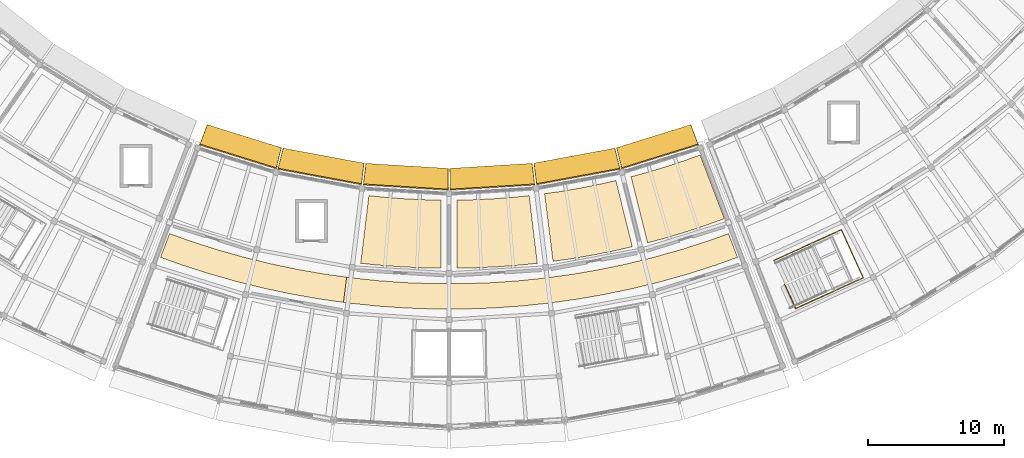
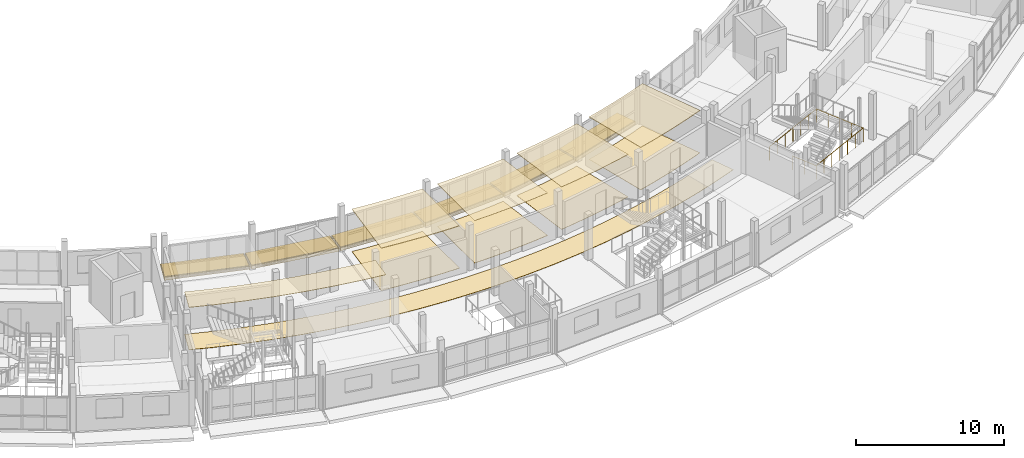
# One storey, part 72 of 77: 16 coverings, 6 shading devices, 1 railing.
"""IFC4 building model written with IfcOpenShell, lengths in metres."""

from ifc_helpers import new_model, si_unit, direction, frame, origin, origin_2d, place, context, subcontext, project, spatial, polyline, circle, outline, extrude, material, layer, layer_set, type_object, element, save


model = new_model("IFC4")

# Units and contexts
model_context = context("Model", 3, precision=1e-05, world=origin(), true_north=direction((0.0, 1.0)))
body_context = subcontext(model_context, "Body", "Model", "MODEL_VIEW")
ifc_project = project(units=[si_unit("LENGTHUNIT", "METRE"), si_unit("AREAUNIT", "SQUARE_METRE"), si_unit("VOLUMEUNIT", "CUBIC_METRE"), si_unit("PLANEANGLEUNIT", "RADIAN"), si_unit("MASSUNIT", "GRAM", prefix="KILO")], contexts=[model_context])

# Site, building, storey
site_placement = place(None, origin())
site = spatial("IfcSite", under=ifc_project, at=site_placement, CompositionType="ELEMENT")
building_placement = place(site_placement, origin())
building = spatial("IfcBuilding", under=site, at=building_placement, Name="Caldaven Crescent School", CompositionType="ELEMENT")
storey_placement = place(building_placement, frame((0.0, 0.0, 4.419921875)))
storey = spatial("IfcBuildingStorey", under=building, at=storey_placement, Name="L01", CompositionType="ELEMENT", Elevation=4.419921875)

# Coverings
ifc_material_1 = material(Name="White architectural GFRC precast concrete C35/45 cladding", Category="concrete")
ifc_layer_1 = layer(ifc_material_1, 0.260009765625)
ifc_layer_set_1 = layer_set([ifc_layer_1], Name="White architectural GFRC precast concrete C35/45 cladding")
covering_type_1 = type_object("IfcCoveringType", Name="COV-CLD1", PredefinedType="CLADDING", material=ifc_layer_set_1)
covering_1_placement = place(storey_placement, frame((0.0, 0.0, -0.260009765625)))
element("IfcCovering", 1, at=covering_1_placement, inside=storey, type_object=covering_type_1, Name="CLD-IN-L01-011", PredefinedType="CLADDING", context=body_context, shape_type="SweptSolid", body=[
    extrude(outline(polyline([(70.241943359375, 48.618408203125), (75.707275390625, 46.915771484375), (75.318603515625, 45.36376953125), (69.680419921875, 47.120361328125), (70.241943359375, 48.618408203125)])), origin(), (0.0, 0.0, 1.0), 0.260009765625),
])
covering_2_placement = place(storey_placement, frame((0.0, 0.0, -0.260009765625)))
element("IfcCovering", 2, at=covering_2_placement, inside=storey, type_object=covering_type_1, Name="CLD-IN-L01-013", PredefinedType="CLADDING", context=body_context, shape_type="SweptSolid", body=[
    extrude(outline(polyline([(75.81005859375, 46.89013671875), (81.78076171875, 45.78369140625), (81.584228515625, 44.19580078125), (75.4248046875, 45.33740234375), (75.81005859375, 46.89013671875)])), origin(), (0.0, 0.0, 1.0), 0.260009765625),
])
covering_3_placement = place(storey_placement, frame((0.0, 0.0, -0.260009765625)))
element("IfcCovering", 3, at=covering_3_placement, inside=storey, type_object=covering_type_1, Name="CLD-IN-L01-015", PredefinedType="CLADDING", context=body_context, shape_type="SweptSolid", body=[
    extrude(outline(polyline([(81.885986328125, 45.770751953125), (87.947021484375, 45.400146484375), (87.9453125, 43.800048828125), (81.692626953125, 44.182373046875), (81.885986328125, 45.770751953125)])), origin(), (0.0, 0.0, 1.0), 0.260009765625),
])
covering_4_placement = place(storey_placement, frame((0.0, 0.0, -0.260009765625)))
element("IfcCovering", 4, at=covering_4_placement, inside=storey, type_object=covering_type_1, Name="CLD-IN-L01-017", PredefinedType="CLADDING", context=body_context, shape_type="SweptSolid", body=[
    extrude(outline(polyline([(88.052978515625, 45.400146484375), (94.114013671875, 45.770751953125), (94.307373046875, 44.182373046875), (88.0546875, 43.800048828125), (88.052978515625, 45.400146484375)])), origin(), (0.0, 0.0, 1.0), 0.260009765625),
])
covering_5_placement = place(storey_placement, frame((0.0, 0.0, -0.260009765625)))
element("IfcCovering", 5, at=covering_5_placement, inside=storey, type_object=covering_type_1, Name="CLD-IN-L01-019", PredefinedType="CLADDING", context=body_context, shape_type="SweptSolid", body=[
    extrude(outline(polyline([(94.21923828125, 45.78369140625), (100.18994140625, 46.89013671875), (100.5751953125, 45.33740234375), (94.415771484375, 44.19580078125), (94.21923828125, 45.78369140625)])), origin(), (0.0, 0.0, 1.0), 0.260009765625),
])
covering_6_placement = place(storey_placement, frame((0.0, 0.0, -0.260009765625)))
element("IfcCovering", 6, at=covering_6_placement, inside=storey, type_object=covering_type_1, Name="CLD-IN-L01-021", PredefinedType="CLADDING", context=body_context, shape_type="SweptSolid", body=[
    extrude(outline(polyline([(100.292724609375, 46.915771484375), (105.758056640625, 48.618408203125), (106.319580078125, 47.120361328125), (100.681396484375, 45.36376953125), (100.292724609375, 46.915771484375)])), origin(), (0.0, 0.0, 1.0), 0.260009765625),
])
ifc_material_2 = material(Name="Perforated Pino Radiata acoustic timber baffle ceiling", Category="wood")
ifc_layer_2 = layer(ifc_material_2, 0.030029296875)
ifc_layer_set_2 = layer_set([ifc_layer_2], Name="Perforated Pino Radiata acoustic timber baffle ceiling")
covering_type_2 = type_object("IfcCoveringType", Name="COV-CLG1", PredefinedType="CEILING", material=ifc_layer_set_2)
covering_7_placement = place(storey_placement, frame((0.0, 0.0, 3.489990234375)))
element("IfcCovering", 7, at=covering_7_placement, inside=storey, type_object=covering_type_2, Name="CLG-L01-124", PredefinedType="CEILING", context=body_context, shape_type="SweptSolid", body=[
    extrude(outline(polyline([(68.972900390625, 40.078369140625), (68.987548828125, 40.073486328125), (70.91357421875, 39.455078125), (70.928466796875, 39.45068359375), (72.87451171875, 38.8994140625), (72.889404296875, 38.8955078125), (74.853515625, 38.41162109375), (74.86865234375, 38.408203125), (76.848388671875, 37.9921875), (76.863525390625, 37.989501953125), (78.856201171875, 37.64208984375), (78.87158203125, 37.6396484375), (80.481689453125, 37.416015625), (80.252685546875, 35.5703125), (78.576416015625, 35.80322265625), (76.5048828125, 36.164306640625), (74.447509765625, 36.596435546875), (72.406005859375, 37.099365234375), (70.383056640625, 37.67236328125), (68.381103515625, 38.31494140625), (66.826171875, 38.8740234375), (67.4853515625, 40.613037109375), (68.972900390625, 40.078369140625)])), origin(), (0.0, 0.0, 1.0), 0.030029296875),
])
covering_8_placement = place(storey_placement, frame((0.0, 0.0, 3.489990234375)))
element("IfcCovering", 8, at=covering_8_placement, inside=storey, type_object=covering_type_2, Name="CLG-L01-128", PredefinedType="CEILING", context=body_context, shape_type="SweptSolid", body=[
    extrude(outline(polyline([(89.670654296875, 43.096435546875), (89.683837890625, 43.096923828125), (91.224609375, 43.16845703125), (91.23779296875, 43.169189453125), (92.776123046875, 43.285888671875), (92.789306640625, 43.287109375), (93.88232421875, 43.402587890625), (94.480224609375, 38.438720703125), (93.234375, 38.306884765625), (91.53662109375, 38.177978515625), (89.83544921875, 38.09912109375), (88.5830078125, 38.077880859375), (88.5712890625, 43.07763671875), (89.670654296875, 43.096435546875)])), origin(), (0.0, 0.0, 1.0), 0.030029296875),
])
ifc_layer_3 = layer(ifc_material_2, 0.0380859375)
ifc_layer_set_3 = layer_set([ifc_layer_3], Name="Perforated Pino Radiata acoustic timber baffle ceiling")
covering_type_3 = type_object("IfcCoveringType", Name="COV-CLG2", PredefinedType="CEILING", material=ifc_layer_set_3)
covering_9_placement = place(storey_placement, frame((0.0, 0.0, 3.482177734375)))
element("IfcCovering", 9, at=covering_9_placement, inside=storey, type_object=covering_type_3, Name="CLG-L01-129", PredefinedType="CEILING", context=body_context, shape_type="SweptSolid", body=[
    extrude(outline(polyline([(96.10546875, 43.6943359375), (96.118408203125, 43.6962890625), (97.63916015625, 43.955078125), (97.652099609375, 43.95751953125), (99.164794921875, 44.260986328125), (99.177490234375, 44.263916015625), (100.24853515625, 44.511474609375), (101.447021484375, 39.657470703125), (100.2265625, 39.375), (98.556884765625, 39.0400390625), (96.878173828125, 38.75439453125), (95.637451171875, 38.58056640625), (95.016845703125, 43.5419921875), (96.10546875, 43.6943359375)])), origin(), (0.0, 0.0, 1.0), 0.037841796875),
])
ifc_layer_4 = layer(ifc_material_2, 0.0458984375)
ifc_layer_set_4 = layer_set([ifc_layer_4], Name="Perforated Pino Radiata acoustic timber baffle ceiling")
covering_type_4 = type_object("IfcCoveringType", Name="COV-CLG3", PredefinedType="CEILING", material=ifc_layer_set_4)
covering_10_placement = place(storey_placement, frame((0.0, 0.0, 3.47412109375)))
element("IfcCovering", 10, at=covering_10_placement, inside=storey, type_object=covering_type_4, Name="CLG-L01-130", PredefinedType="CEILING", context=body_context, shape_type="SweptSolid", body=[
    extrude(outline(polyline([(102.41943359375, 45.072021484375), (102.43212890625, 45.07568359375), (103.909912109375, 45.517822265625), (103.922607421875, 45.521728515625), (105.386962890625, 46.00732421875), (105.3994140625, 46.01171875), (106.43212890625, 46.38818359375), (108.21337890625, 41.716064453125), (107.0361328125, 41.287109375), (105.419921875, 40.751220703125), (103.78857421875, 40.26318359375), (102.578369140625, 39.939453125), (101.357666015625, 44.7880859375), (102.41943359375, 45.072021484375)])), origin(), (0.0, 0.0, 1.0), 0.0458984375),
])
ifc_layer_5 = layer(ifc_material_2, 0.053955078125)
ifc_layer_set_5 = layer_set([ifc_layer_5], Name="Perforated Pino Radiata acoustic timber baffle ceiling")
covering_type_5 = type_object("IfcCoveringType", Name="COV-CLG4", PredefinedType="CEILING", material=ifc_layer_set_5)
covering_11_placement = place(storey_placement, frame((0.0, 0.0, 3.466064453125)))
element("IfcCovering", 11, at=covering_11_placement, inside=storey, type_object=covering_type_5, Name="CLG-L01-127", PredefinedType="CEILING", context=body_context, shape_type="SweptSolid", body=[
    extrude(outline(polyline([(83.210693359375, 43.287109375), (83.223876953125, 43.285888671875), (84.76220703125, 43.169189453125), (84.775390625, 43.16845703125), (86.316162109375, 43.096923828125), (86.329345703125, 43.096435546875), (87.4287109375, 43.07763671875), (87.4169921875, 38.077880859375), (86.16455078125, 38.09912109375), (84.46337890625, 38.177978515625), (82.765625, 38.306884765625), (81.519775390625, 38.438720703125), (82.11767578125, 43.402587890625), (83.210693359375, 43.287109375)])), origin(), (0.0, 0.0, 1.0), 0.053955078125),
])
ifc_material_3 = material(Name="Polished terrazzo and acoustic linoleum flooring")
ifc_layer_6 = layer(ifc_material_3, 0.02001953125)
ifc_layer_set_6 = layer_set([ifc_layer_6], Name="Polished terrazzo and acoustic linoleum flooring")
covering_type_6 = type_object("IfcCoveringType", Name="COV-FLR1", PredefinedType="FLOORING", material=ifc_layer_set_6)
covering_12_placement = place(storey_placement, origin())
element("IfcCovering", 12, at=covering_12_placement, inside=storey, type_object=covering_type_6, Name="FLR-L01-129", PredefinedType="FLOORING", context=body_context, shape_type="SweptSolid", body=[
    extrude(outline(polyline([(95.016845703125, 43.5419921875), (96.10546875, 43.6943359375), (96.118408203125, 43.6962890625), (97.63916015625, 43.955078125), (97.652099609375, 43.95751953125), (99.164794921875, 44.260986328125), (99.177490234375, 44.263916015625), (100.24853515625, 44.511474609375), (101.447021484375, 39.657470703125), (100.2265625, 39.375), (98.556884765625, 39.0400390625), (96.878173828125, 38.75439453125), (95.637451171875, 38.58056640625), (95.016845703125, 43.5419921875)])), origin(), (0.0, 0.0, 1.0), 0.02001953125),
])
ifc_layer_7 = layer(ifc_material_3, 0.02587890625)
ifc_layer_set_7 = layer_set([ifc_layer_7], Name="Polished terrazzo and acoustic linoleum flooring")
covering_type_7 = type_object("IfcCoveringType", Name="COV-FLR2", PredefinedType="FLOORING", material=ifc_layer_set_7)
covering_13_placement = place(storey_placement, origin())
element("IfcCovering", 13, at=covering_13_placement, inside=storey, type_object=covering_type_7, Name="FLR-L01-124", PredefinedType="FLOORING", context=body_context, shape_type="SweptSolid", body=[
    extrude(outline(polyline([(67.4853515625, 40.613037109375), (68.972900390625, 40.078369140625), (68.987548828125, 40.073486328125), (70.91357421875, 39.455078125), (70.928466796875, 39.45068359375), (72.87451171875, 38.8994140625), (72.889404296875, 38.8955078125), (74.853515625, 38.41162109375), (74.86865234375, 38.408203125), (76.848388671875, 37.9921875), (76.863525390625, 37.989501953125), (78.856201171875, 37.64208984375), (78.87158203125, 37.6396484375), (80.875244140625, 37.361328125), (80.890625, 37.359375), (82.902587890625, 37.150390625), (82.918212890625, 37.149169921875), (84.93603515625, 37.009521484375), (84.951416015625, 37.0087890625), (86.97314453125, 36.93896484375), (86.988525390625, 36.938720703125), (89.011474609375, 36.938720703125), (89.02685546875, 36.93896484375), (91.048583984375, 37.0087890625), (91.06396484375, 37.009521484375), (93.081787109375, 37.149169921875), (93.097412109375, 37.150390625), (95.109375, 37.359375), (95.124755859375, 37.361328125), (97.12841796875, 37.6396484375), (97.143798828125, 37.64208984375), (99.136474609375, 37.989501953125), (99.151611328125, 37.9921875), (101.13134765625, 38.408203125), (101.146484375, 38.41162109375), (103.110595703125, 38.8955078125), (103.12548828125, 38.8994140625), (105.071533203125, 39.45068359375), (105.08642578125, 39.455078125), (107.012451171875, 40.073486328125), (107.027099609375, 40.078369140625), (108.5146484375, 40.613037109375), (109.173828125, 38.8740234375), (107.618896484375, 38.31494140625), (105.616943359375, 37.67236328125), (103.593994140625, 37.099365234375), (101.552490234375, 36.596435546875), (99.4951171875, 36.164306640625), (97.423583984375, 35.80322265625), (95.34130859375, 35.513916015625), (93.25, 35.296630859375), (91.152587890625, 35.151611328125), (89.05126953125, 35.0791015625), (86.94873046875, 35.0791015625), (84.847412109375, 35.151611328125), (82.75, 35.296630859375), (80.65869140625, 35.513916015625), (78.576416015625, 35.80322265625), (76.5048828125, 36.164306640625), (74.447509765625, 36.596435546875), (72.406005859375, 37.099365234375), (70.383056640625, 37.67236328125), (68.381103515625, 38.31494140625), (66.826171875, 38.8740234375), (67.4853515625, 40.613037109375)])), origin(), (0.0, 0.0, 1.0), 0.026123046875),
])
covering_14_placement = place(storey_placement, origin())
element("IfcCovering", 14, at=covering_14_placement, inside=storey, type_object=covering_type_7, Name="FLR-L01-127", PredefinedType="FLOORING", context=body_context, shape_type="SweptSolid", body=[
    extrude(outline(polyline([(82.11767578125, 43.402587890625), (83.210693359375, 43.287109375), (83.223876953125, 43.285888671875), (84.76220703125, 43.169189453125), (84.775390625, 43.16845703125), (86.316162109375, 43.096923828125), (86.329345703125, 43.096435546875), (87.4287109375, 43.07763671875), (87.4169921875, 38.077880859375), (86.16455078125, 38.09912109375), (84.46337890625, 38.177978515625), (82.765625, 38.306884765625), (81.519775390625, 38.438720703125), (82.11767578125, 43.402587890625)])), origin(), (0.0, 0.0, 1.0), 0.026123046875),
])
covering_15_placement = place(storey_placement, origin())
element("IfcCovering", 15, at=covering_15_placement, inside=storey, type_object=covering_type_7, Name="FLR-L01-130", PredefinedType="FLOORING", context=body_context, shape_type="SweptSolid", body=[
    extrude(outline(polyline([(101.357666015625, 44.7880859375), (102.41943359375, 45.072021484375), (102.43212890625, 45.07568359375), (103.909912109375, 45.517822265625), (103.922607421875, 45.521728515625), (105.386962890625, 46.00732421875), (105.3994140625, 46.01171875), (106.43212890625, 46.38818359375), (108.21337890625, 41.716064453125), (107.0361328125, 41.287109375), (105.419921875, 40.751220703125), (103.78857421875, 40.26318359375), (102.578369140625, 39.939453125), (101.357666015625, 44.7880859375)])), origin(), (0.0, 0.0, 1.0), 0.026123046875),
])
ifc_layer_8 = layer(ifc_material_3, 0.031982421875)
ifc_layer_set_8 = layer_set([ifc_layer_8], Name="Polished terrazzo and acoustic linoleum flooring")
covering_type_8 = type_object("IfcCoveringType", Name="COV-FLR3", PredefinedType="FLOORING", material=ifc_layer_set_8)
covering_16_placement = place(storey_placement, origin())
element("IfcCovering", 16, at=covering_16_placement, inside=storey, type_object=covering_type_8, Name="FLR-L01-128", PredefinedType="FLOORING", context=body_context, shape_type="SweptSolid", body=[
    extrude(outline(polyline([(88.5712890625, 43.07763671875), (89.670654296875, 43.096435546875), (89.683837890625, 43.096923828125), (91.224609375, 43.16845703125), (91.23779296875, 43.169189453125), (92.776123046875, 43.285888671875), (92.789306640625, 43.287109375), (93.88232421875, 43.402587890625), (94.480224609375, 38.438720703125), (93.234375, 38.306884765625), (91.53662109375, 38.177978515625), (89.83544921875, 38.09912109375), (88.5830078125, 38.077880859375), (88.5712890625, 43.07763671875)])), origin(), (0.0, 0.0, 1.0), 0.031982421875),
])

# Railing
ifc_material_4 = material(Name="Powder-coated tubular steel balustrade ASTM A572 Grade 50", Category="steel")
railing_type = type_object("IfcRailingType", Name="RAL-INT3", PredefinedType="BALUSTRADE", material=ifc_material_4)
railing_placement = place(storey_placement, frame((112.63671875, 36.89501953125, 0.0)))
element("IfcRailing", 17, at=railing_placement, inside=storey, type_object=railing_type, Name="GD-WELL-ST4-L01", PredefinedType="BALUSTRADE", context=body_context, shape_type="SweptSolid", body=[
    extrude(circle(Radius=0.02392578125, at=origin_2d()), frame((0.0, 0.0, 1.1259765625), z_axis=(0.414670598092, -0.909971590259, 0.0), x_axis=(0.909971590259, 0.414670598092, 0.0)), (0.0, 0.0, 1.0), 1.949951171875),
    extrude(circle(Radius=0.02392578125, at=origin_2d()), frame((0.80859375, -1.7744140625, 1.1259765625), z_axis=(0.909977375721, 0.414657901981, 0.0), x_axis=(-0.414657901981, 0.909977375721, 0.0)), (0.0, 0.0, 1.0), 5.442138671875),
    extrude(circle(Radius=0.02392578125, at=origin_2d()), frame((5.7607421875, 0.482177734375, 1.1259765625), z_axis=(-0.414717666462, 0.909950139911, 0.0), x_axis=(-0.909950139911, -0.414717666462, 0.0)), (0.0, 0.0, 1.0), 3.860107421875),
    extrude(circle(Radius=0.02392578125, at=origin_2d()), frame((4.159912109375, 3.99462890625, 1.1259765625), z_axis=(-0.909969661653, -0.414674830284, 0.0), x_axis=(0.414674830284, -0.909969661653, 0.0)), (0.0, 0.0, 1.0), 5.44189453125),
    extrude(circle(Radius=0.02099609375, at=origin_2d()), origin(), (0.0, 0.0, 1.0), 1.101806640625),
    extrude(circle(Radius=0.02099609375, at=origin_2d()), frame((0.404296875, -0.88720703125, 0.0)), (0.0, 0.0, 1.0), 1.101806640625),
    extrude(circle(Radius=0.02099609375, at=origin_2d()), frame((0.80859375, -1.7744140625, 0.0)), (0.0, 0.0, 1.0), 1.101806640625),
    extrude(circle(Radius=0.02099609375, at=origin_2d()), frame((1.634033203125, -1.3984375, 0.0)), (0.0, 0.0, 1.0), 1.101806640625),
    extrude(circle(Radius=0.02099609375, at=origin_2d()), frame((2.459228515625, -1.022216796875, 0.0)), (0.0, 0.0, 1.0), 1.101806640625),
    extrude(circle(Radius=0.02099609375, at=origin_2d()), frame((3.28466796875, -0.64599609375, 0.0)), (0.0, 0.0, 1.0), 1.101806640625),
    extrude(circle(Radius=0.02099609375, at=origin_2d()), frame((4.110107421875, -0.27001953125, 0.0)), (0.0, 0.0, 1.0), 1.101806640625),
    extrude(circle(Radius=0.02099609375, at=origin_2d()), frame((4.935302734375, 0.10595703125, 0.0)), (0.0, 0.0, 1.0), 1.101806640625),
    extrude(circle(Radius=0.02099609375, at=origin_2d()), frame((5.7607421875, 0.482177734375, 0.0)), (0.0, 0.0, 1.0), 1.101806640625),
    extrude(circle(Radius=0.02099609375, at=origin_2d()), frame((5.360595703125, 1.3603515625, 0.0)), (0.0, 0.0, 1.0), 1.101806640625),
    extrude(circle(Radius=0.02099609375, at=origin_2d()), frame((4.96044921875, 2.23828125, 0.0)), (0.0, 0.0, 1.0), 1.101806640625),
    extrude(circle(Radius=0.02099609375, at=origin_2d()), frame((4.56005859375, 3.116455078125, 0.0)), (0.0, 0.0, 1.0), 1.101806640625),
    extrude(circle(Radius=0.02099609375, at=origin_2d()), frame((4.159912109375, 3.99462890625, 0.0)), (0.0, 0.0, 1.0), 1.101806640625),
    extrude(circle(Radius=0.02099609375, at=origin_2d()), frame((3.33447265625, 3.61865234375, 0.0)), (0.0, 0.0, 1.0), 1.101806640625),
    extrude(circle(Radius=0.02099609375, at=origin_2d()), frame((2.50927734375, 3.242431640625, 0.0)), (0.0, 0.0, 1.0), 1.101806640625),
    extrude(circle(Radius=0.02099609375, at=origin_2d()), frame((1.68408203125, 2.8662109375, 0.0)), (0.0, 0.0, 1.0), 1.101806640625),
    extrude(circle(Radius=0.02099609375, at=origin_2d()), frame((0.858642578125, 2.490234375, 0.0)), (0.0, 0.0, 1.0), 1.101806640625),
    extrude(circle(Radius=0.02099609375, at=origin_2d()), frame((0.033203125, 2.1142578125, 0.0)), (0.0, 0.0, 1.0), 1.101806640625),
    extrude(circle(Radius=0.02099609375, at=origin_2d()), frame((-0.7919921875, 1.738037109375, 0.0)), (0.0, 0.0, 1.0), 1.101806640625),
])

# Shading devices
ifc_material_5 = material(Name="Precast concrete C35/45", Category="concrete")
ifc_layer_9 = layer(ifc_material_5, 0.139892578125)
ifc_layer_set_9 = layer_set([ifc_layer_9], Name="Precast concrete C35/45")
shading_device_type = type_object("IfcShadingDeviceType", Name="SHD-S01", PredefinedType="AWNING", material=ifc_layer_set_9)
shading_device_1_placement = place(storey_placement, frame((0.0, 0.0, -0.139892578125)))
element("IfcShadingDevice", 18, at=shading_device_1_placement, inside=storey, type_object=shading_device_type, Name="SHD-LDG-L01-006", PredefinedType="AWNING", context=body_context, shape_type="SweptSolid", body=[
    extrude(outline(polyline([(70.25830078125, 48.6123046875), (75.690185546875, 46.920166015625), (75.3203125, 45.44580078125), (69.7255859375, 47.188720703125), (70.25830078125, 48.6123046875)])), origin(), (0.0, 0.0, 1.0), 0.139892578125),
])
shading_device_2_placement = place(storey_placement, frame((0.0, 0.0, -0.139892578125)))
element("IfcShadingDevice", 19, at=shading_device_2_placement, inside=storey, type_object=shading_device_type, Name="SHD-LDG-L01-008", PredefinedType="AWNING", context=body_context, shape_type="SweptSolid", body=[
    extrude(outline(polyline([(75.827392578125, 46.885986328125), (81.76318359375, 45.785888671875), (81.575927734375, 44.27734375), (75.461669921875, 45.41064453125), (75.827392578125, 46.885986328125)])), origin(), (0.0, 0.0, 1.0), 0.139892578125),
])
shading_device_3_placement = place(storey_placement, frame((0.0, 0.0, -0.139892578125)))
element("IfcShadingDevice", 20, at=shading_device_3_placement, inside=storey, type_object=shading_device_type, Name="SHD-LDG-L01-010", PredefinedType="AWNING", context=body_context, shape_type="SweptSolid", body=[
    extrude(outline(polyline([(81.903564453125, 45.7685546875), (87.929443359375, 45.400146484375), (87.92724609375, 43.880126953125), (81.720458984375, 44.259765625), (81.903564453125, 45.7685546875)])), origin(), (0.0, 0.0, 1.0), 0.139892578125),
])
shading_device_4_placement = place(storey_placement, frame((0.0, 0.0, -0.139892578125)))
element("IfcShadingDevice", 21, at=shading_device_4_placement, inside=storey, type_object=shading_device_type, Name="SHD-LDG-L01-012", PredefinedType="AWNING", context=body_context, shape_type="SweptSolid", body=[
    extrude(outline(polyline([(88.070556640625, 45.400146484375), (94.096435546875, 45.7685546875), (94.279541015625, 44.259765625), (88.07275390625, 43.880126953125), (88.070556640625, 45.400146484375)])), origin(), (0.0, 0.0, 1.0), 0.139892578125),
])
shading_device_5_placement = place(storey_placement, frame((0.0, 0.0, -0.139892578125)))
element("IfcShadingDevice", 22, at=shading_device_5_placement, inside=storey, type_object=shading_device_type, Name="SHD-LDG-L01-014", PredefinedType="AWNING", context=body_context, shape_type="SweptSolid", body=[
    extrude(outline(polyline([(94.23681640625, 45.785888671875), (100.172607421875, 46.885986328125), (100.538330078125, 45.41064453125), (94.424072265625, 44.27734375), (94.23681640625, 45.785888671875)])), origin(), (0.0, 0.0, 1.0), 0.139892578125),
])
shading_device_6_placement = place(storey_placement, frame((0.0, 0.0, -0.139892578125)))
element("IfcShadingDevice", 23, at=shading_device_6_placement, inside=storey, type_object=shading_device_type, Name="SHD-LDG-L01-016", PredefinedType="AWNING", context=body_context, shape_type="SweptSolid", body=[
    extrude(outline(polyline([(100.309814453125, 46.920166015625), (105.74169921875, 48.6123046875), (106.2744140625, 47.188720703125), (100.6796875, 45.44580078125), (100.309814453125, 46.920166015625)])), origin(), (0.0, 0.0, 1.0), 0.139892578125),
])

save(model, "model.ifc")
